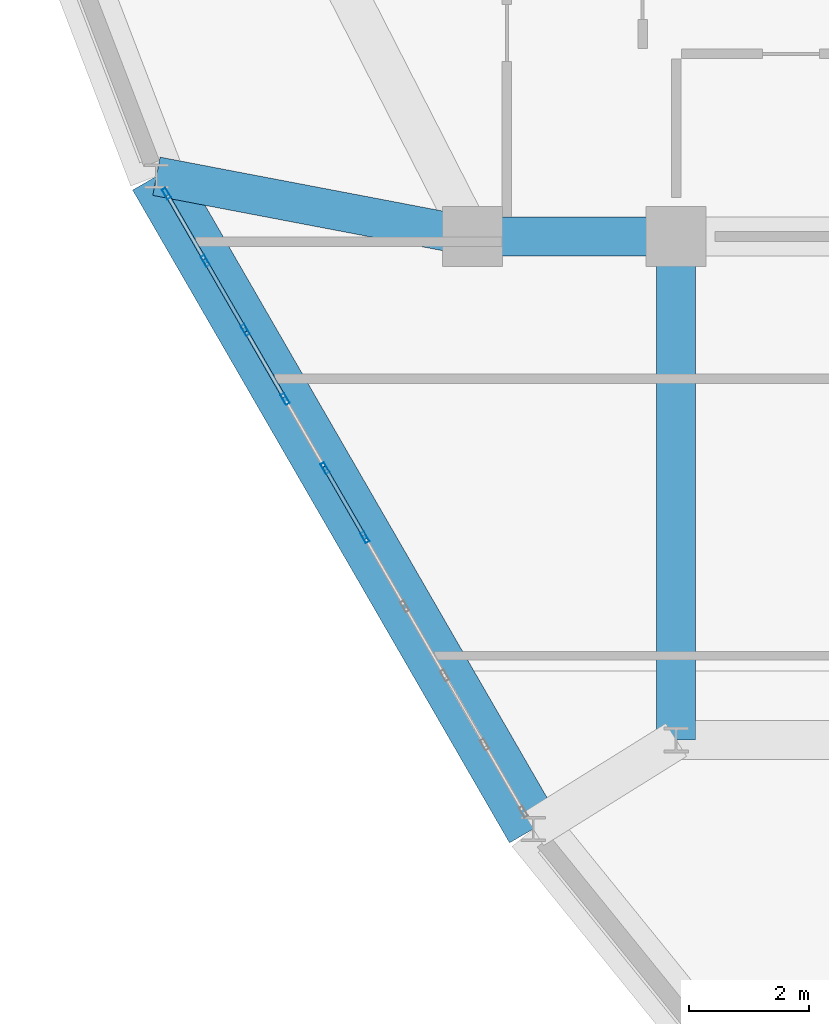
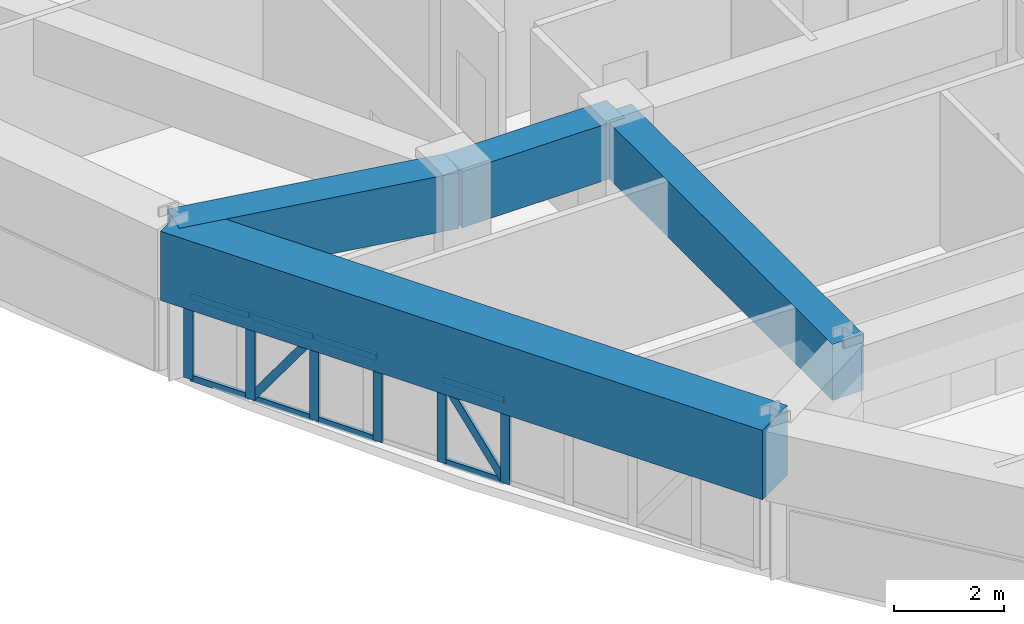
# One storey, part 4 of 13: 16 members, 4 beams, 1 element without a shape of its own.
"""IFC4 building model written with IfcOpenShell, lengths in metres."""

from ifc_helpers import new_model, si_unit, derived_unit, direction, frame, origin, origin_2d, place, context, subcontext, project, spatial, rectangle, hollow_rectangle, extrude, source, transform, mapped, material, layer, layer_set, material_profile, profile_set, type_object, element, aggregate, save


model = new_model("IFC4")

# Units and contexts
model_context = context("Model", 3, precision=1e-05, world=origin(), true_north=direction((0.0, 1.0)))
body_context = subcontext(model_context, "Body", "Model", "MODEL_VIEW")
ifc_project = project(units=[si_unit("LENGTHUNIT", "METRE"), si_unit("AREAUNIT", "SQUARE_METRE"), si_unit("VOLUMEUNIT", "CUBIC_METRE"), si_unit("PLANEANGLEUNIT", "RADIAN"), si_unit("MASSUNIT", "GRAM", prefix="KILO"), derived_unit("THERMALTRANSMITTANCEUNIT", [(si_unit("POWERUNIT", "WATT"), 1), (si_unit("LENGTHUNIT", "METRE"), -2), (si_unit("THERMODYNAMICTEMPERATUREUNIT", "KELVIN"), -1)])], contexts=[model_context])

# Site, building, storey
site_placement = place(None, origin())
site = spatial("IfcSite", under=ifc_project, at=site_placement, CompositionType="ELEMENT")
building_placement = place(site_placement, origin())
building = spatial("IfcBuilding", under=site, at=building_placement, Name="Korsvarv Bourse and Concert Hall", CompositionType="ELEMENT")
storey_placement = place(building_placement, frame((0.0, 0.0, 183.0)))
storey = spatial("IfcBuildingStorey", under=building, at=storey_placement, Name="L47", CompositionType="ELEMENT", Elevation=183.0)

# Beams
ifc_material_1 = material(Name="Concrete C50/60", Category="concrete")
ifc_material_profile_1 = material_profile(ifc_material_1, rectangle(XDim=0.64990234375, YDim=1.239990234375, at=origin_2d()), Name="RC-BM 650x1240")
ifc_profile_set_1 = profile_set([ifc_material_profile_1], Name="Concrete C50/60")
beam_type_1 = type_object("IfcBeamType", Name="BM-TR-SPN", PredefinedType="BEAM", material=ifc_profile_set_1)
shared_shape_1 = source(origin(), body_context, "Body", "SweptSolid", [
    extrude(rectangle(XDim=0.64990234375, YDim=1.239990234375, at=origin_2d()), origin(), (0.0, 0.0, 1.0), 3.400146484375),
])
beam_1_placement = place(storey_placement, frame((24.199951171875, 32.39990234375, 2.780029296875), z_axis=(1.0, 0.0, 0.0), x_axis=(0.0, 1.0, 0.0)))
element("IfcBeam", 1, at=beam_1_placement, inside=storey, type_object=beam_type_1, Name="L47 beam B-TRS", PredefinedType="BEAM", context=body_context, shape_type="MappedRepresentation", body=[
    mapped(shared_shape_1, transform((0.0, 0.0, 0.0), scale=1.0)),
])
shared_shape_2 = source(origin(), body_context, "Body", "SweptSolid", [
    extrude(rectangle(XDim=0.64990234375, YDim=1.239990234375, at=origin_2d()), origin(), (0.0, 0.0, 1.0), 8.39990234375),
])
beam_2_placement = place(storey_placement, frame((27.60009765625, 24.0, 2.780029296875), z_axis=(0.0, 1.0, 0.0), x_axis=(-1.0, 0.0, 0.0)))
element("IfcBeam", 2, at=beam_2_placement, inside=storey, type_object=beam_type_1, Name="L47 beam B-TRS", PredefinedType="BEAM", context=body_context, shape_type="MappedRepresentation", body=[
    mapped(shared_shape_2, transform((0.0, 0.0, 0.0), scale=1.0)),
])
ifc_material_profile_2 = material_profile(ifc_material_1, rectangle(XDim=0.919921875, YDim=1.530029296875, at=origin_2d()), Name="RC-BM 920x1530")
ifc_profile_set_2 = profile_set([ifc_material_profile_2], Name="Concrete C50/60")
beam_type_2 = type_object("IfcBeamType", Name="BM-TR-154", PredefinedType="BEAM", material=ifc_profile_set_2)
shared_shape_3 = source(origin(), body_context, "Body", "SweptSolid", [
    extrude(rectangle(XDim=0.919921875, YDim=1.530029296875, at=origin_2d()), origin(), (0.0, 0.0, 1.0), 12.57861328125),
])
beam_3_placement = place(storey_placement, frame((18.927490234375, 33.405517578125, 2.635009765625), z_axis=(0.500003032783, -0.866023652799, 0.0), x_axis=(0.866023652799, 0.500003032783, 0.0)))
element("IfcBeam", 3, at=beam_3_placement, inside=storey, type_object=beam_type_2, Name="L47 beam B-TR6", PredefinedType="BEAM", context=body_context, shape_type="MappedRepresentation", body=[
    mapped(shared_shape_3, transform((0.0, 0.0, 0.0), scale=1.0)),
])
shared_shape_4 = source(origin(), body_context, "Body", "SweptSolid", [
    extrude(rectangle(XDim=0.64990234375, YDim=1.239990234375, at=origin_2d()), origin(), (0.0, 0.0, 1.0), 5.367431640625),
])
beam_4_placement = place(storey_placement, frame((18.927490234375, 33.405517578125, 2.780029296875), z_axis=(0.982292753488, -0.187352465809, 0.0), x_axis=(0.187352465809, 0.982292753488, 0.0)))
element("IfcBeam", 4, at=beam_4_placement, inside=storey, type_object=beam_type_1, Name="L47 beam B-TRS", PredefinedType="BEAM", context=body_context, shape_type="MappedRepresentation", body=[
    mapped(shared_shape_4, transform((0.0, 0.0, 0.0), scale=1.0)),
])

# Curtain wall, members
ifc_material_2 = material(Name="Anodised aluminium and triple low-E glazing", Category="glass")
ifc_layer = layer(ifc_material_2, 0.199951171875)
ifc_layer_set = layer_set([ifc_layer], Name="Anodised aluminium and triple low-E glazing")
curtain_wall_type = type_object("IfcCurtainWallType", Name="CW-SYS-3", PredefinedType="NOTDEFINED", material=ifc_layer_set)
curtain_wall_placement = place(storey_placement, origin())
curtain_wall = element("IfcCurtainWall", 5, at=curtain_wall_placement, inside=storey, type_object=curtain_wall_type, Name="L47 CW3 curtain wall CW-L47-F07", PredefinedType="NOTDEFINED")
ifc_material_3 = material(Name="Extruded aluminium EN AW-6063 T66", Category="aluminium")
ifc_material_profile_3 = material_profile(ifc_material_3, hollow_rectangle(XDim=0.070068359375, YDim=0.18994140625, WallThickness=0.0048828125, at=origin_2d()), Name="ALU-M 70x190")
ifc_profile_set_3 = profile_set([ifc_material_profile_3], Name="Extruded aluminium EN AW-6063 T66")
member_type_1 = type_object("IfcMemberType", Name="CWM-190", PredefinedType="MULLION", material=ifc_profile_set_3)
shared_shape_5 = source(origin(), body_context, "Body", "SweptSolid", [
    extrude(hollow_rectangle(XDim=0.070068359375, YDim=0.18994140625, WallThickness=0.0048828125, at=origin_2d()), origin(), (0.0, 0.0, 1.0), 1.8701171875),
])
member_1_placement = place(storey_placement, frame((19.093994140625, 33.1171875, 0.0), z_axis=(0.0, 0.0, 1.0), x_axis=(0.866028825281, 0.499994073747, 0.0)))
member_1 = element("IfcMember", 6, at=member_1_placement, type_object=member_type_1, Name="CW3 mullion 1", PredefinedType="MULLION", context=body_context, shape_type="MappedRepresentation", body=[
    mapped(shared_shape_5, transform((0.0, 0.0, 0.0), scale=1.0)),
])
member_2_placement = place(storey_placement, frame((19.7421875, 31.994384765625, 0.0), z_axis=(0.0, 0.0, 1.0), x_axis=(0.866028825281, 0.499994073747, 0.0)))
member_2 = element("IfcMember", 7, at=member_2_placement, type_object=member_type_1, Name="CW3 mullion 2", PredefinedType="MULLION", context=body_context, shape_type="MappedRepresentation", body=[
    mapped(shared_shape_5, transform((0.0, 0.0, 0.0), scale=1.0)),
])
member_3_placement = place(storey_placement, frame((20.407958984375, 30.84130859375, 0.0), z_axis=(0.0, 0.0, 1.0), x_axis=(0.866028825281, 0.499994073747, 0.0)))
member_3 = element("IfcMember", 8, at=member_3_placement, type_object=member_type_1, Name="CW3 mullion 3", PredefinedType="MULLION", context=body_context, shape_type="MappedRepresentation", body=[
    mapped(shared_shape_5, transform((0.0, 0.0, 0.0), scale=1.0)),
])
member_4_placement = place(storey_placement, frame((21.07373046875, 29.6884765625, 0.0), z_axis=(0.0, 0.0, 1.0), x_axis=(0.866028825281, 0.499994073747, 0.0)))
member_4 = element("IfcMember", 9, at=member_4_placement, type_object=member_type_1, Name="CW3 mullion 4", PredefinedType="MULLION", context=body_context, shape_type="MappedRepresentation", body=[
    mapped(shared_shape_5, transform((0.0, 0.0, 0.0), scale=1.0)),
])
member_5_placement = place(storey_placement, frame((21.739501953125, 28.535400390625, 0.0), z_axis=(0.0, 0.0, 1.0), x_axis=(0.866028825281, 0.499994073747, 0.0)))
member_5 = element("IfcMember", 10, at=member_5_placement, type_object=member_type_1, Name="CW3 mullion 5", PredefinedType="MULLION", context=body_context, shape_type="MappedRepresentation", body=[
    mapped(shared_shape_5, transform((0.0, 0.0, 0.0), scale=1.0)),
])
member_6_placement = place(storey_placement, frame((22.405029296875, 27.38232421875, 0.0), z_axis=(0.0, 0.0, 1.0), x_axis=(0.866028825281, 0.499994073747, 0.0)))
member_6 = element("IfcMember", 11, at=member_6_placement, type_object=member_type_1, Name="CW3 mullion 6", PredefinedType="MULLION", context=body_context, shape_type="MappedRepresentation", body=[
    mapped(shared_shape_5, transform((0.0, 0.0, 0.0), scale=1.0)),
])
ifc_material_profile_4 = material_profile(ifc_material_3, hollow_rectangle(XDim=0.06494140625, YDim=0.139892578125, WallThickness=0.00390625, at=origin_2d()), Name="ALU-T 65x140")
ifc_profile_set_4 = profile_set([ifc_material_profile_4], Name="Extruded aluminium EN AW-6063 T66")
member_type_2 = type_object("IfcMemberType", Name="CWT-140", PredefinedType="USERDEFINED", material=ifc_profile_set_4)
shared_shape_6 = source(origin(), body_context, "Body", "SweptSolid", [
    extrude(hollow_rectangle(XDim=0.06494140625, YDim=0.139892578125, WallThickness=0.00390625, at=origin_2d()), origin(), (0.0, 0.0, 1.0), 1.2265625),
])
member_7_placement = place(storey_placement, frame((19.111572265625, 33.0869140625, 0.032470703125), z_axis=(0.49999238347, -0.866029801145, 0.0), x_axis=(0.866029801145, 0.49999238347, 0.0)))
member_7 = element("IfcMember", 12, at=member_7_placement, type_object=member_type_2, Name="CW3 transom 1.1", ObjectType="TRANSOM", PredefinedType="USERDEFINED", context=body_context, shape_type="MappedRepresentation", body=[
    mapped(shared_shape_6, transform((0.0, 0.0, 0.0), scale=1.0)),
])
member_8_placement = place(storey_placement, frame((19.111572265625, 33.0869140625, 1.83740234375), z_axis=(0.49999238347, -0.866029801145, 0.0), x_axis=(0.866029801145, 0.49999238347, 0.0)))
member_8 = element("IfcMember", 13, at=member_8_placement, type_object=member_type_2, Name="CW3 transom 1.2", ObjectType="TRANSOM", PredefinedType="USERDEFINED", context=body_context, shape_type="MappedRepresentation", body=[
    mapped(shared_shape_6, transform((0.0, 0.0, 0.0), scale=1.0)),
])
shared_shape_7 = source(origin(), body_context, "Body", "SweptSolid", [
    extrude(hollow_rectangle(XDim=0.06494140625, YDim=0.139892578125, WallThickness=0.00390625, at=origin_2d()), origin(), (0.0, 0.0, 1.0), 1.26123046875),
])
member_9_placement = place(storey_placement, frame((19.759765625, 31.964111328125, 0.032470703125), z_axis=(0.499990548297, -0.866030860659, 0.0), x_axis=(0.866030860659, 0.499990548297, 0.0)))
member_9 = element("IfcMember", 14, at=member_9_placement, type_object=member_type_2, Name="CW3 transom 2.1", ObjectType="TRANSOM", PredefinedType="USERDEFINED", context=body_context, shape_type="MappedRepresentation", body=[
    mapped(shared_shape_7, transform((0.0, 0.0, 0.0), scale=1.0)),
])
member_10_placement = place(storey_placement, frame((19.759765625, 31.964111328125, 1.83740234375), z_axis=(0.499990548297, -0.866030860659, 0.0), x_axis=(0.866030860659, 0.499990548297, 0.0)))
member_10 = element("IfcMember", 15, at=member_10_placement, type_object=member_type_2, Name="CW3 transom 2.2", ObjectType="TRANSOM", PredefinedType="USERDEFINED", context=body_context, shape_type="MappedRepresentation", body=[
    mapped(shared_shape_7, transform((0.0, 0.0, 0.0), scale=1.0)),
])
member_11_placement = place(storey_placement, frame((20.425537109375, 30.81103515625, 0.032470703125), z_axis=(0.499990548297, -0.866030860659, 0.0), x_axis=(0.866030860659, 0.499990548297, 0.0)))
member_11 = element("IfcMember", 16, at=member_11_placement, type_object=member_type_2, Name="CW3 transom 3.1", ObjectType="TRANSOM", PredefinedType="USERDEFINED", context=body_context, shape_type="MappedRepresentation", body=[
    mapped(shared_shape_7, transform((0.0, 0.0, 0.0), scale=1.0)),
])
member_12_placement = place(storey_placement, frame((20.425537109375, 30.81103515625, 1.83740234375), z_axis=(0.499990548297, -0.866030860659, 0.0), x_axis=(0.866030860659, 0.499990548297, 0.0)))
member_12 = element("IfcMember", 17, at=member_12_placement, type_object=member_type_2, Name="CW3 transom 3.2", ObjectType="TRANSOM", PredefinedType="USERDEFINED", context=body_context, shape_type="MappedRepresentation", body=[
    mapped(shared_shape_7, transform((0.0, 0.0, 0.0), scale=1.0)),
])
ifc_material_profile_5 = material_profile(ifc_material_3, hollow_rectangle(XDim=0.06494140625, YDim=0.1650390625, WallThickness=0.0048828125, at=origin_2d()), Name="ALU-M 65x165")
ifc_profile_set_5 = profile_set([ifc_material_profile_5], Name="Extruded aluminium EN AW-6063 T66")
member_type_3 = type_object("IfcMemberType", Name="CWM-165", PredefinedType="MULLION", material=ifc_profile_set_5)
shared_shape_8 = source(origin(), body_context, "Body", "SweptSolid", [
    extrude(hollow_rectangle(XDim=0.06494140625, YDim=0.1650390625, WallThickness=0.0048828125, at=origin_2d()), origin(), (0.0, 0.0, 1.0), 2.14892578125),
])
member_13_placement = place(storey_placement, frame((19.759765625, 31.964111328125, 0.06494140625), z_axis=(0.293441848657, -0.508269001506, 0.809663203786), x_axis=(0.866030860659, 0.499990548297, 0.0)))
member_13 = element("IfcMember", 18, at=member_13_placement, type_object=member_type_3, Name="CW3 diagonal mullion 2", PredefinedType="MULLION", context=body_context, shape_type="MappedRepresentation", body=[
    mapped(shared_shape_8, transform((0.0, 0.0, 0.0), scale=1.0)),
])
shared_shape_9 = source(origin(), body_context, "Body", "SweptSolid", [
    extrude(hollow_rectangle(XDim=0.06494140625, YDim=0.139892578125, WallThickness=0.00390625, at=origin_2d()), origin(), (0.0, 0.0, 1.0), 1.261474609375),
])
member_14_placement = place(storey_placement, frame((21.7568359375, 28.505126953125, 0.032470703125), z_axis=(0.500051892845, -0.865995441363, 0.0), x_axis=(0.865995441363, 0.500051892845, 0.0)))
member_14 = element("IfcMember", 19, at=member_14_placement, type_object=member_type_2, Name="CW3 transom 5.1", ObjectType="TRANSOM", PredefinedType="USERDEFINED", context=body_context, shape_type="MappedRepresentation", body=[
    mapped(shared_shape_9, transform((0.0, 0.0, 0.0), scale=1.0)),
])
member_15_placement = place(storey_placement, frame((21.7568359375, 28.505126953125, 1.83740234375), z_axis=(0.500051892845, -0.865995441363, 0.0), x_axis=(0.865995441363, 0.500051892845, 0.0)))
member_15 = element("IfcMember", 20, at=member_15_placement, type_object=member_type_2, Name="CW3 transom 5.2", ObjectType="TRANSOM", PredefinedType="USERDEFINED", context=body_context, shape_type="MappedRepresentation", body=[
    mapped(shared_shape_9, transform((0.0, 0.0, 0.0), scale=1.0)),
])
shared_shape_10 = source(origin(), body_context, "Body", "SweptSolid", [
    extrude(hollow_rectangle(XDim=0.06494140625, YDim=0.1650390625, WallThickness=0.0048828125, at=origin_2d()), origin(), (0.0, 0.0, 1.0), 2.149169921875),
])
member_16_placement = place(storey_placement, frame((22.3876953125, 27.41259765625, 0.06494140625), z_axis=(-0.293528717011, 0.508336303648, 0.809589460581), x_axis=(-0.865995441363, -0.500051892845, 0.0)))
member_16 = element("IfcMember", 21, at=member_16_placement, type_object=member_type_3, Name="CW3 diagonal mullion 5", PredefinedType="MULLION", context=body_context, shape_type="MappedRepresentation", body=[
    mapped(shared_shape_10, transform((0.0, 0.0, 0.0), scale=1.0)),
])
aggregate(curtain_wall, [member_1, member_2, member_3, member_4, member_5, member_6, member_7, member_8, member_9, member_10, member_13, member_11, member_12, member_14, member_15, member_16])

save(model, "model.ifc")
